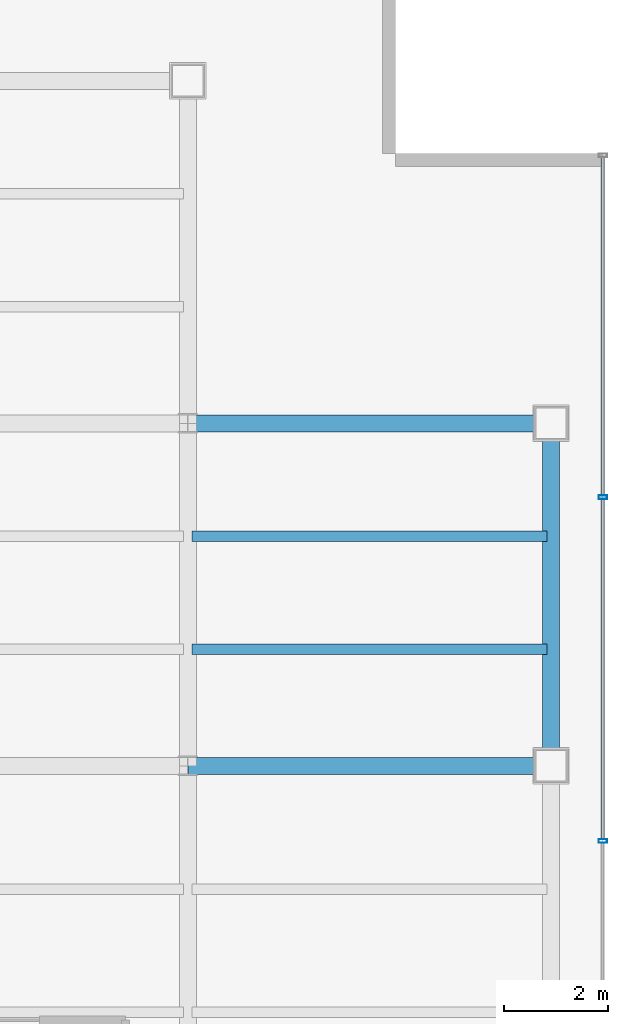
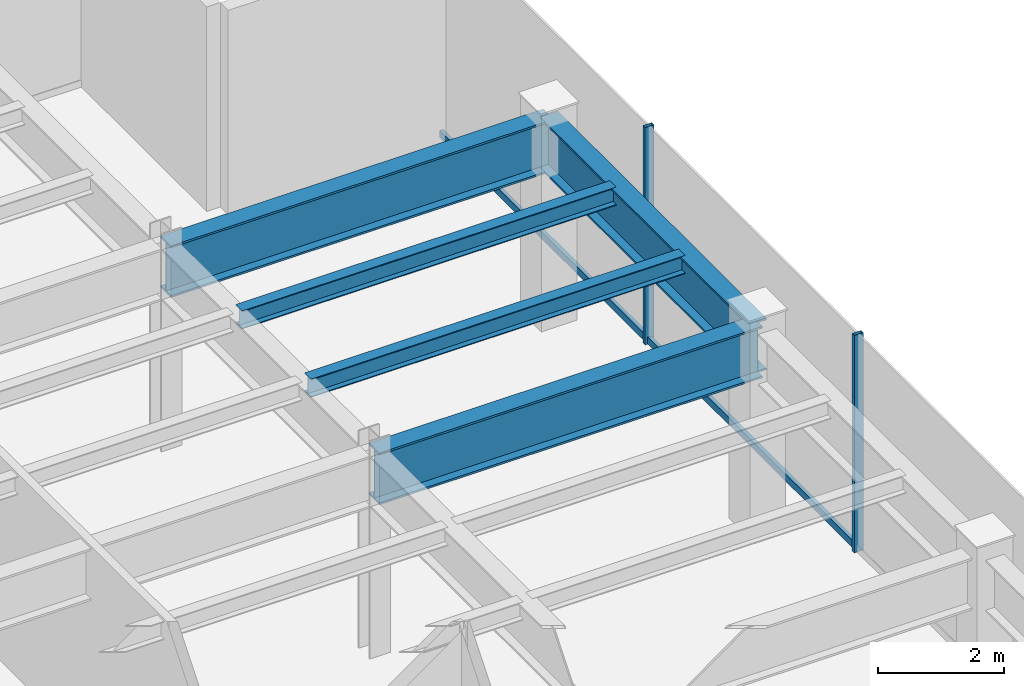
# One storey, part 8 of 26: 5 beams, 4 members, 1 element without a shape of its own.
"""IFC4 building model written with IfcOpenShell, lengths in metres."""

from ifc_helpers import new_model, si_unit, derived_unit, direction, frame, origin, origin_2d, place, context, subcontext, project, spatial, hollow_rectangle, i_section, extrude, source, transform, mapped, material, material_profile, profile_set, type_object, element, aggregate, save


model = new_model("IFC4")

# Units and contexts
model_context = context("Model", 3, precision=1e-05, world=origin(), true_north=direction((0.0, 1.0)))
body_context = subcontext(model_context, "Body", "Model", "MODEL_VIEW")
ifc_project = project(units=[si_unit("LENGTHUNIT", "METRE"), si_unit("AREAUNIT", "SQUARE_METRE"), si_unit("VOLUMEUNIT", "CUBIC_METRE"), si_unit("PLANEANGLEUNIT", "RADIAN"), si_unit("MASSUNIT", "GRAM", prefix="KILO"), derived_unit("THERMALTRANSMITTANCEUNIT", [(si_unit("POWERUNIT", "WATT"), 1), (si_unit("LENGTHUNIT", "METRE"), -2), (si_unit("THERMODYNAMICTEMPERATUREUNIT", "KELVIN"), -1)])], contexts=[model_context])

# Site, building, storey
site_placement = place(None, origin())
site = spatial("IfcSite", under=ifc_project, at=site_placement, CompositionType="ELEMENT")
building_placement = place(site_placement, origin())
building = spatial("IfcBuilding", under=site, at=building_placement, Name="Skarnbrae Concourse Arena and Tower", CompositionType="ELEMENT")
storey_placement = place(building_placement, frame((0.0, 0.0, 184.39990234375)))
storey = spatial("IfcBuildingStorey", under=building, at=storey_placement, Name="L47", CompositionType="ELEMENT", Elevation=184.39990234375)

# Beams
ifc_material_1 = material(Name="Steel CSA G40.21 350W", Category="steel")
ifc_material_profile_1 = material_profile(ifc_material_1, i_section(OverallWidth=0.327880859375, OverallDepth=1.0, WebThickness=0.02099609375, FlangeThickness=0.03759765625, at=origin_2d()), Name="W1000X371")
ifc_profile_set_1 = profile_set([ifc_material_profile_1], Name="Steel CSA G40.21 350W")
beam_type_1 = type_object("IfcBeamType", Name="BM-XFER-W1000X371", PredefinedType="BEAM", material=ifc_profile_set_1)
shared_shape_1 = source(origin(), body_context, "Body", "SweptSolid", [
    extrude(i_section(OverallWidth=0.327880859375, OverallDepth=1.0, WebThickness=0.02099609375, FlangeThickness=0.03759765625, at=origin_2d()), origin(), (0.0, 0.0, 1.0), 7.0),
])
for number, where, z_axis, x_axis, name in (
    (1, (42.0, 21.199951171875, 3.400146484375), (1.0, 0.0, 0.0), (0.0, 1.0, 0.0), "L47 Primary E-W girder Y21.2-7"),
    (2, (42.0, 27.800048828125, 3.400146484375), (1.0, 0.0, 0.0), (0.0, 1.0, 0.0), "L47 Primary E-W girder Y27.8-7"),
):
    element("IfcBeam", number, at=place(storey_placement, frame(where, z_axis=z_axis, x_axis=x_axis)), inside=storey, type_object=beam_type_1, Name=name, PredefinedType="BEAM", context=body_context, shape_type="MappedRepresentation", body=[
        mapped(shared_shape_1, transform((0.0, 0.0, 0.0))),
    ])
shared_shape_2 = source(origin(), body_context, "Body", "SweptSolid", [
    extrude(i_section(OverallWidth=0.327880859375, OverallDepth=1.0, WebThickness=0.02099609375, FlangeThickness=0.03759765625, at=origin_2d()), origin(), (0.0, 0.0, 1.0), 6.60009765625),
])
beam_placement = place(storey_placement, frame((49.0, 21.199951171875, 3.400146484375), z_axis=(0.0, 1.0, 0.0), x_axis=(-1.0, 0.0, 0.0)))
element("IfcBeam", 3, at=beam_placement, inside=storey, type_object=beam_type_1, Name="L47 Perimeter spandrel X49.0-3", PredefinedType="BEAM", context=body_context, shape_type="MappedRepresentation", body=[
    mapped(shared_shape_2, transform((0.0, 0.0, 0.0))),
])
ifc_material_profile_2 = material_profile(ifc_material_1, i_section(OverallWidth=0.205078125, OverallDepth=0.35400390625, WebThickness=0.009521484375, FlangeThickness=0.016845703125, at=origin_2d()), Name="W360X79")
ifc_profile_set_2 = profile_set([ifc_material_profile_2], Name="Steel CSA G40.21 350W")
beam_type_2 = type_object("IfcBeamType", Name="BM-JOIST-W360X79", PredefinedType="JOIST", material=ifc_profile_set_2)
shared_shape_3 = source(origin(), body_context, "Body", "SweptSolid", [
    extrude(i_section(OverallWidth=0.205078125, OverallDepth=0.35400390625, WebThickness=0.009521484375, FlangeThickness=0.016845703125, at=origin_2d()), origin(), (0.0, 0.0, 1.0), 6.83984375),
])
for number, where, z_axis, x_axis, name in (
    (4, (42.080078125, 23.444091796875, 3.72314453125), (1.0, 0.0, 0.0), (0.0, 1.0, 0.0), "L47 Secondary floor joist 2.1.7"),
    (5, (42.080078125, 25.6220703125, 3.72314453125), (1.0, 0.0, 0.0), (0.0, 1.0, 0.0), "L47 Secondary floor joist 2.2.7"),
):
    element("IfcBeam", number, at=place(storey_placement, frame(where, z_axis=z_axis, x_axis=x_axis)), inside=storey, type_object=beam_type_2, Name=name, PredefinedType="JOIST", context=body_context, shape_type="MappedRepresentation", body=[
        mapped(shared_shape_3, transform((0.0, 0.0, 0.0))),
    ])

# Curtain wall, members
ifc_material_2 = material(Name="Bronze anodised aluminium 6063-T6", Category="aluminium")
curtain_wall_type = type_object("IfcCurtainWallType", Name="CW-SYS-06-SKYLOBBY", PredefinedType="USERDEFINED", material=ifc_material_2)
curtain_wall_placement = place(storey_placement, origin())
curtain_wall = element("IfcCurtainWall", 6, at=curtain_wall_placement, inside=storey, type_object=curtain_wall_type, Name="L47 Unitised curtain wall CW-L47-E04", ObjectType="UNITISED CURTAIN WALL", PredefinedType="USERDEFINED")
ifc_material_profile_3 = material_profile(ifc_material_2, hollow_rectangle(XDim=0.070068359375, YDim=0.1650390625, WallThickness=0.00390625, at=origin_2d()), Name="ALU-MULL-70X165")
ifc_profile_set_3 = profile_set([ifc_material_profile_3], Name="Bronze anodised aluminium 6063-T6")
member_type_1 = type_object("IfcMemberType", Name="CWM-CW-06", PredefinedType="MULLION", material=ifc_profile_set_3)
shared_shape_4 = source(origin(), body_context, "Body", "SweptSolid", [
    extrude(hollow_rectangle(XDim=0.070068359375, YDim=0.1650390625, WallThickness=0.00390625, at=origin_2d()), origin(), (0.0, 0.0, 1.0), 4.2001953125),
])
member_1_placement = place(storey_placement, frame((50.0, 19.75, 0.0), z_axis=(0.0, 0.0, 1.0), x_axis=(0.0, 1.0, 0.0)))
member_1 = element("IfcMember", 7, at=member_1_placement, type_object=member_type_1, Name="CW-L47-E04 Mullion 3", PredefinedType="MULLION", context=body_context, shape_type="MappedRepresentation", body=[
    mapped(shared_shape_4, transform((0.0, 0.0, 0.0))),
])
member_2_placement = place(storey_placement, frame((50.0, 26.375, 0.0), z_axis=(0.0, 0.0, 1.0), x_axis=(0.0, 1.0, 0.0)))
member_2 = element("IfcMember", 8, at=member_2_placement, type_object=member_type_1, Name="CW-L47-E04 Mullion 4", PredefinedType="MULLION", context=body_context, shape_type="MappedRepresentation", body=[
    mapped(shared_shape_4, transform((0.0, 0.0, 0.0))),
])
ifc_material_profile_4 = material_profile(ifc_material_2, hollow_rectangle(XDim=0.070068359375, YDim=0.135009765625, WallThickness=0.00390625, at=origin_2d()), Name="ALU-TRAN-70X135")
ifc_profile_set_4 = profile_set([ifc_material_profile_4], Name="Bronze anodised aluminium 6063-T6")
member_type_2 = type_object("IfcMemberType", Name="CWT-CW-06", PredefinedType="USERDEFINED", material=ifc_profile_set_4)
shared_shape_5 = source(origin(), body_context, "Body", "SweptSolid", [
    extrude(hollow_rectangle(XDim=0.070068359375, YDim=0.135009765625, WallThickness=0.00390625, at=origin_2d()), origin(), (0.0, 0.0, 1.0), 6.52001953125),
])
member_3_placement = place(storey_placement, frame((50.0, 26.409912109375, 0.067626953125), z_axis=(0.0, 1.0, 0.0), x_axis=(-1.0, 0.0, 0.0)))
member_3 = element("IfcMember", 9, at=member_3_placement, type_object=member_type_2, Name="CW-L47-E04 Transom 4", ObjectType="TRANSOM", PredefinedType="USERDEFINED", context=body_context, shape_type="MappedRepresentation", body=[
    mapped(shared_shape_5, transform((0.0, 0.0, 0.0))),
])
shared_shape_6 = source(origin(), body_context, "Body", "SweptSolid", [
    extrude(hollow_rectangle(XDim=0.070068359375, YDim=0.135009765625, WallThickness=0.00390625, at=origin_2d()), origin(), (0.0, 0.0, 1.0), 6.55517578125),
])
member_4_placement = place(storey_placement, frame((50.0, 19.784912109375, 0.067626953125), z_axis=(0.0, 1.0, 0.0), x_axis=(-1.0, 0.0, 0.0)))
member_4 = element("IfcMember", 10, at=member_4_placement, type_object=member_type_2, Name="CW-L47-E04 Transom 3", ObjectType="TRANSOM", PredefinedType="USERDEFINED", context=body_context, shape_type="MappedRepresentation", body=[
    mapped(shared_shape_6, transform((0.0, 0.0, 0.0))),
])
aggregate(curtain_wall, [member_1, member_2, member_4, member_3])

save(model, "model.ifc")
